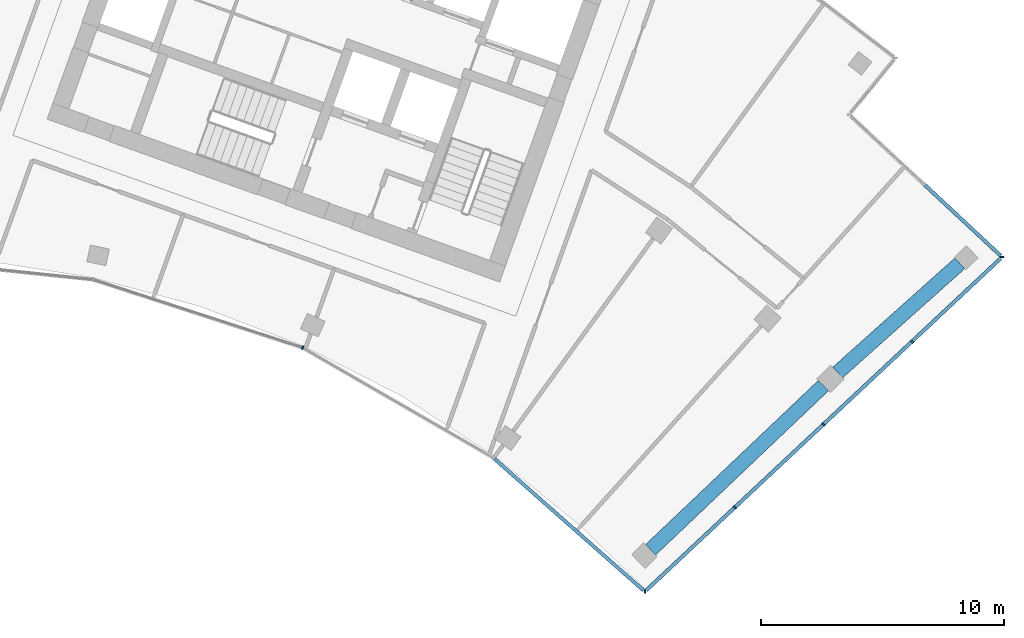
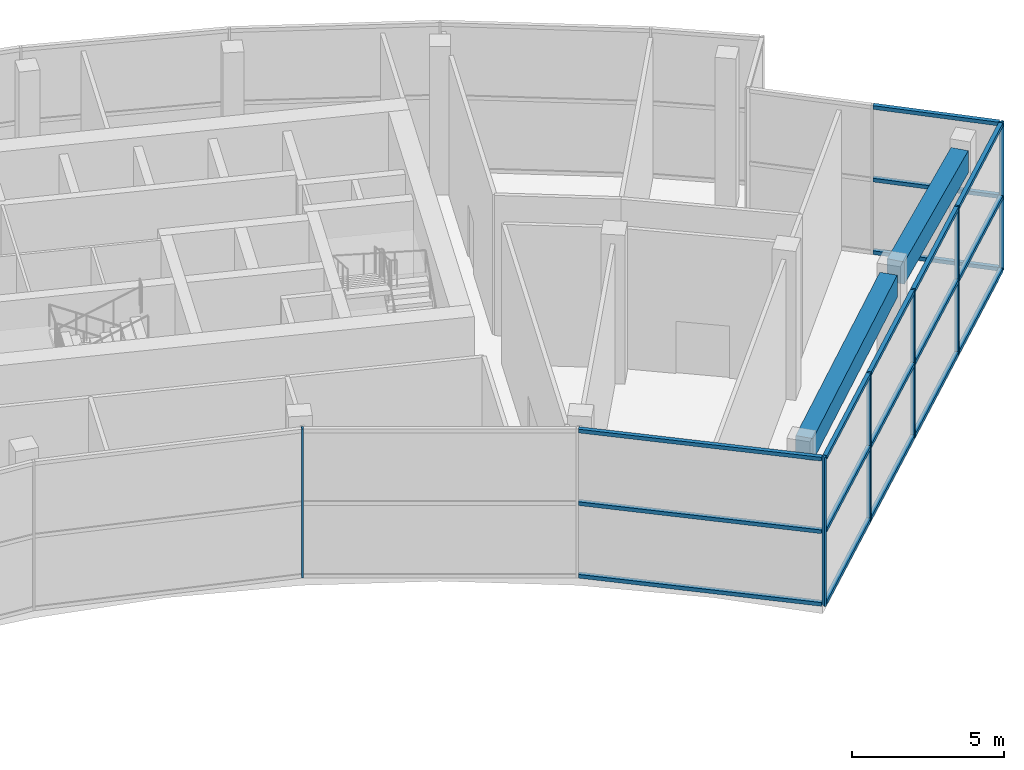
# One storey, part 7 of 18: 24 members, 2 beams, 3 elements without a shape of their own.
"""IFC4 building model written with IfcOpenShell, lengths in metres."""

from ifc_helpers import new_model, si_unit, direction, frame, origin, origin_2d, place, context, subcontext, project, spatial, rectangle, extrude, material, layer, layer_set, material_profile, profile_set, type_object, element, aggregate, save


model = new_model("IFC4")

# Units and contexts
model_context = context("Model", 3, precision=1e-05, world=origin(), true_north=direction((0.0, 1.0)))
body_context = subcontext(model_context, "Body", "Model", "MODEL_VIEW")
ifc_project = project(units=[si_unit("LENGTHUNIT", "METRE"), si_unit("AREAUNIT", "SQUARE_METRE"), si_unit("VOLUMEUNIT", "CUBIC_METRE"), si_unit("PLANEANGLEUNIT", "RADIAN"), si_unit("MASSUNIT", "GRAM", prefix="KILO")], contexts=[model_context])

# Site, building, storey
site_placement = place(None, origin())
site = spatial("IfcSite", under=ifc_project, at=site_placement, CompositionType="ELEMENT")
building_placement = place(site_placement, origin())
building = spatial("IfcBuilding", under=site, at=building_placement, Name="Stone Belt Terrace Tower", CompositionType="ELEMENT")
storey_placement = place(building_placement, frame((0.0, 0.0, 307.39990234375)))
storey = spatial("IfcBuildingStorey", under=building, at=storey_placement, Name="L75", CompositionType="ELEMENT", Elevation=307.39990234375)

# Curtain wall, member
ifc_material_1 = material(Name="Aluminium 6063-T6 anodised frame", Category="aluminium")
ifc_layer = layer(ifc_material_1, 0.14990234375)
ifc_layer_set = layer_set([ifc_layer], Name="CW-F observation floor curtain wall")
curtain_wall_type = type_object("IfcCurtainWallType", Name="CW-F observation floor curtain wall", PredefinedType="NOTDEFINED", material=ifc_layer_set)
curtain_wall_1_placement = place(storey_placement, origin())
curtain_wall_1 = element("IfcCurtainWall", 1, at=curtain_wall_1_placement, inside=storey, type_object=curtain_wall_type, Name="CW-F concave face L75", PredefinedType="NOTDEFINED")
ifc_material_profile_1 = material_profile(ifc_material_1, rectangle(XDim=0.14990234375, YDim=0.070068359375, at=origin_2d()), Name="Aluminium 6063-T6 70x150")
ifc_profile_set_1 = profile_set([ifc_material_profile_1], Name="Aluminium 6063-T6 anodised frame")
member_type_1 = type_object("IfcMemberType", Name="CW-F mullion 70 x 150", PredefinedType="MULLION", material=ifc_profile_set_1)
member_1_placement = place(storey_placement, frame((17.662353515625, 39.67041015625, 0.0), z_axis=(0.0, 0.0, 1.0), x_axis=(0.406736643076, 0.913545457643, 0.0)))
member_1 = element("IfcMember", 2, at=member_1_placement, type_object=member_type_1, Name="CW-F mullion 7", PredefinedType="MULLION", context=body_context, shape_type="SweptSolid", body=[
    extrude(rectangle(XDim=0.14990234375, YDim=0.070068359375, at=origin_2d()), origin(), (0.0, 0.0, 1.0), 6.0),
])

# Curtain wall, members
curtain_wall_2_placement = place(storey_placement, origin())
curtain_wall_2 = element("IfcCurtainWall", 3, at=curtain_wall_2_placement, inside=storey, type_object=curtain_wall_type, Name="CW-F end face L75", PredefinedType="NOTDEFINED")
member_2_placement = place(storey_placement, frame((31.75244140625, 29.633056640625, 0.0), z_axis=(0.0, 0.0, 1.0), x_axis=(-0.014681639593, 0.999892218921, 0.0)))
member_2 = element("IfcMember", 4, at=member_2_placement, type_object=member_type_1, Name="CW-F mullion 1", PredefinedType="MULLION", context=body_context, shape_type="SweptSolid", body=[
    extrude(rectangle(XDim=0.14990234375, YDim=0.070068359375, at=origin_2d()), origin(), (0.0, 0.0, 1.0), 6.0),
])
member_3_placement = place(storey_placement, frame((35.45166015625, 33.097412109375, 0.0), z_axis=(0.0, 0.0, 1.0), x_axis=(-0.683549434973, 0.729904219708, 0.0)))
member_3 = element("IfcMember", 5, at=member_3_placement, type_object=member_type_1, Name="CW-F mullion 2", PredefinedType="MULLION", context=body_context, shape_type="SweptSolid", body=[
    extrude(rectangle(XDim=0.14990234375, YDim=0.070068359375, at=origin_2d()), origin(), (0.0, 0.0, 1.0), 6.0),
])
member_4_placement = place(storey_placement, frame((39.10107421875, 36.51513671875, 0.0), z_axis=(0.0, 0.0, 1.0), x_axis=(-0.683549434973, 0.729904219708, 0.0)))
member_4 = element("IfcMember", 6, at=member_4_placement, type_object=member_type_1, Name="CW-F mullion 3", PredefinedType="MULLION", context=body_context, shape_type="SweptSolid", body=[
    extrude(rectangle(XDim=0.14990234375, YDim=0.070068359375, at=origin_2d()), origin(), (0.0, 0.0, 1.0), 6.0),
])
member_5_placement = place(storey_placement, frame((42.750732421875, 39.932861328125, 0.0), z_axis=(0.0, 0.0, 1.0), x_axis=(-0.683549434973, 0.729904219708, 0.0)))
member_5 = element("IfcMember", 7, at=member_5_placement, type_object=member_type_1, Name="CW-F mullion 4", PredefinedType="MULLION", context=body_context, shape_type="SweptSolid", body=[
    extrude(rectangle(XDim=0.14990234375, YDim=0.070068359375, at=origin_2d()), origin(), (0.0, 0.0, 1.0), 6.0),
])

# Curtain wall, member
curtain_wall_3_placement = place(storey_placement, origin())
curtain_wall_3 = element("IfcCurtainWall", 8, at=curtain_wall_3_placement, inside=storey, type_object=curtain_wall_type, Name="CW-F notch face L75", PredefinedType="NOTDEFINED")
member_6_placement = place(storey_placement, frame((46.458740234375, 43.405517578125, 0.0), z_axis=(0.0, 0.0, 1.0), x_axis=(-0.999999447771, -0.00105093149, 0.0)))
member_6 = element("IfcMember", 9, at=member_6_placement, type_object=member_type_1, Name="CW-F mullion 1", PredefinedType="MULLION", context=body_context, shape_type="SweptSolid", body=[
    extrude(rectangle(XDim=0.14990234375, YDim=0.070068359375, at=origin_2d()), origin(), (0.0, 0.0, 1.0), 6.0),
])

# Member
ifc_material_profile_2 = material_profile(ifc_material_1, rectangle(XDim=0.14990234375, YDim=0.14990234375, at=origin_2d()), Name="Aluminium 6063-T6 150x150")
ifc_profile_set_2 = profile_set([ifc_material_profile_2], Name="Aluminium 6063-T6 anodised frame")
member_type_2 = type_object("IfcMemberType", Name="CW-F transom 150 x 150", PredefinedType="USERDEFINED", material=ifc_profile_set_2)
member_7_placement = place(storey_placement, frame((25.556396484375, 35.10302734375, 0.0751953125), z_axis=(0.749658592151, -0.661824746602, 0.0), x_axis=(0.661824746602, 0.749658592151, 0.0)))
member_7 = element("IfcMember", 10, at=member_7_placement, type_object=member_type_2, Name="CW-F transom 8.1", ObjectType="TRANSOM", PredefinedType="USERDEFINED", context=body_context, shape_type="SweptSolid", body=[
    extrude(rectangle(XDim=0.14990234375, YDim=0.14990234375, at=origin_2d()), origin(), (0.0, 0.0, 1.0), 8.188720703125),
])

member_8_placement = place(storey_placement, frame((25.556396484375, 35.10302734375, 3.0), z_axis=(0.749658592151, -0.661824746602, 0.0), x_axis=(0.661824746602, 0.749658592151, 0.0)))
member_8 = element("IfcMember", 11, at=member_8_placement, type_object=member_type_2, Name="CW-F transom 8.2", ObjectType="TRANSOM", PredefinedType="USERDEFINED", context=body_context, shape_type="SweptSolid", body=[
    extrude(rectangle(XDim=0.14990234375, YDim=0.14990234375, at=origin_2d()), origin(), (0.0, 0.0, 1.0), 8.188720703125),
])

member_9_placement = place(storey_placement, frame((25.556396484375, 35.10302734375, 5.925048828125), z_axis=(0.749658592151, -0.661824746602, 0.0), x_axis=(0.661824746602, 0.749658592151, 0.0)))
member_9 = element("IfcMember", 12, at=member_9_placement, type_object=member_type_2, Name="CW-F transom 8.3", ObjectType="TRANSOM", PredefinedType="USERDEFINED", context=body_context, shape_type="SweptSolid", body=[
    extrude(rectangle(XDim=0.14990234375, YDim=0.14990234375, at=origin_2d()), origin(), (0.0, 0.0, 1.0), 8.188720703125),
])

aggregate(curtain_wall_1, [member_1, member_7, member_8, member_9])

member_10_placement = place(storey_placement, frame((31.80810546875, 29.685302734375, 0.0751953125), z_axis=(0.729901132892, 0.683552731107, 0.0), x_axis=(-0.683552731107, 0.729901132892, 0.0)))
member_10 = element("IfcMember", 13, at=member_10_placement, type_object=member_type_2, Name="CW-F transom 1.1", ObjectType="TRANSOM", PredefinedType="USERDEFINED", context=body_context, shape_type="SweptSolid", body=[
    extrude(rectangle(XDim=0.14990234375, YDim=0.14990234375, at=origin_2d()), origin(), (0.0, 0.0, 1.0), 4.956787109375),
])

member_11_placement = place(storey_placement, frame((31.80810546875, 29.685302734375, 3.0), z_axis=(0.729901132892, 0.683552731107, 0.0), x_axis=(-0.683552731107, 0.729901132892, 0.0)))
member_11 = element("IfcMember", 14, at=member_11_placement, type_object=member_type_2, Name="CW-F transom 1.2", ObjectType="TRANSOM", PredefinedType="USERDEFINED", context=body_context, shape_type="SweptSolid", body=[
    extrude(rectangle(XDim=0.14990234375, YDim=0.14990234375, at=origin_2d()), origin(), (0.0, 0.0, 1.0), 4.956787109375),
])

member_12_placement = place(storey_placement, frame((31.80810546875, 29.685302734375, 5.925048828125), z_axis=(0.729901132892, 0.683552731107, 0.0), x_axis=(-0.683552731107, 0.729901132892, 0.0)))
member_12 = element("IfcMember", 15, at=member_12_placement, type_object=member_type_2, Name="CW-F transom 1.3", ObjectType="TRANSOM", PredefinedType="USERDEFINED", context=body_context, shape_type="SweptSolid", body=[
    extrude(rectangle(XDim=0.14990234375, YDim=0.14990234375, at=origin_2d()), origin(), (0.0, 0.0, 1.0), 4.956787109375),
])

member_13_placement = place(storey_placement, frame((35.47705078125, 33.121337890625, 0.0751953125), z_axis=(0.729926246066, 0.683525914142, 0.0), x_axis=(-0.683525914142, 0.729926246066, 0.0)))
member_13 = element("IfcMember", 16, at=member_13_placement, type_object=member_type_2, Name="CW-F transom 2.1", ObjectType="TRANSOM", PredefinedType="USERDEFINED", context=body_context, shape_type="SweptSolid", body=[
    extrude(rectangle(XDim=0.14990234375, YDim=0.14990234375, at=origin_2d()), origin(), (0.0, 0.0, 1.0), 4.93017578125),
])

member_14_placement = place(storey_placement, frame((35.47705078125, 33.121337890625, 3.0), z_axis=(0.729926246066, 0.683525914142, 0.0), x_axis=(-0.683525914142, 0.729926246066, 0.0)))
member_14 = element("IfcMember", 17, at=member_14_placement, type_object=member_type_2, Name="CW-F transom 2.2", ObjectType="TRANSOM", PredefinedType="USERDEFINED", context=body_context, shape_type="SweptSolid", body=[
    extrude(rectangle(XDim=0.14990234375, YDim=0.14990234375, at=origin_2d()), origin(), (0.0, 0.0, 1.0), 4.93017578125),
])

member_15_placement = place(storey_placement, frame((35.47705078125, 33.121337890625, 5.925048828125), z_axis=(0.729926246066, 0.683525914142, 0.0), x_axis=(-0.683525914142, 0.729926246066, 0.0)))
member_15 = element("IfcMember", 18, at=member_15_placement, type_object=member_type_2, Name="CW-F transom 2.3", ObjectType="TRANSOM", PredefinedType="USERDEFINED", context=body_context, shape_type="SweptSolid", body=[
    extrude(rectangle(XDim=0.14990234375, YDim=0.14990234375, at=origin_2d()), origin(), (0.0, 0.0, 1.0), 4.93017578125),
])

member_16_placement = place(storey_placement, frame((39.126708984375, 36.5390625, 0.0751953125), z_axis=(0.729903108642, 0.683550621384, 0.0), x_axis=(-0.683550621384, 0.729903108642, 0.0)))
member_16 = element("IfcMember", 19, at=member_16_placement, type_object=member_type_2, Name="CW-F transom 3.1", ObjectType="TRANSOM", PredefinedType="USERDEFINED", context=body_context, shape_type="SweptSolid", body=[
    extrude(rectangle(XDim=0.14990234375, YDim=0.14990234375, at=origin_2d()), origin(), (0.0, 0.0, 1.0), 4.929931640625),
])

member_17_placement = place(storey_placement, frame((39.126708984375, 36.5390625, 3.0), z_axis=(0.729903108642, 0.683550621384, 0.0), x_axis=(-0.683550621384, 0.729903108642, 0.0)))
member_17 = element("IfcMember", 20, at=member_17_placement, type_object=member_type_2, Name="CW-F transom 3.2", ObjectType="TRANSOM", PredefinedType="USERDEFINED", context=body_context, shape_type="SweptSolid", body=[
    extrude(rectangle(XDim=0.14990234375, YDim=0.14990234375, at=origin_2d()), origin(), (0.0, 0.0, 1.0), 4.929931640625),
])

member_18_placement = place(storey_placement, frame((39.126708984375, 36.5390625, 5.925048828125), z_axis=(0.729903108642, 0.683550621384, 0.0), x_axis=(-0.683550621384, 0.729903108642, 0.0)))
member_18 = element("IfcMember", 21, at=member_18_placement, type_object=member_type_2, Name="CW-F transom 3.3", ObjectType="TRANSOM", PredefinedType="USERDEFINED", context=body_context, shape_type="SweptSolid", body=[
    extrude(rectangle(XDim=0.14990234375, YDim=0.14990234375, at=origin_2d()), origin(), (0.0, 0.0, 1.0), 4.929931640625),
])

member_19_placement = place(storey_placement, frame((42.776123046875, 39.956787109375, 0.0751953125), z_axis=(0.72990346306, 0.683550242933, 0.0), x_axis=(-0.683550242933, 0.72990346306, 0.0)))
member_19 = element("IfcMember", 22, at=member_19_placement, type_object=member_type_2, Name="CW-F transom 4.1", ObjectType="TRANSOM", PredefinedType="USERDEFINED", context=body_context, shape_type="SweptSolid", body=[
    extrude(rectangle(XDim=0.14990234375, YDim=0.14990234375, at=origin_2d()), origin(), (0.0, 0.0, 1.0), 4.966796875),
])

member_20_placement = place(storey_placement, frame((42.776123046875, 39.956787109375, 3.0), z_axis=(0.72990346306, 0.683550242933, 0.0), x_axis=(-0.683550242933, 0.72990346306, 0.0)))
member_20 = element("IfcMember", 23, at=member_20_placement, type_object=member_type_2, Name="CW-F transom 4.2", ObjectType="TRANSOM", PredefinedType="USERDEFINED", context=body_context, shape_type="SweptSolid", body=[
    extrude(rectangle(XDim=0.14990234375, YDim=0.14990234375, at=origin_2d()), origin(), (0.0, 0.0, 1.0), 4.966796875),
])

member_21_placement = place(storey_placement, frame((42.776123046875, 39.956787109375, 5.925048828125), z_axis=(0.72990346306, 0.683550242933, 0.0), x_axis=(-0.683550242933, 0.72990346306, 0.0)))
member_21 = element("IfcMember", 24, at=member_21_placement, type_object=member_type_2, Name="CW-F transom 4.3", ObjectType="TRANSOM", PredefinedType="USERDEFINED", context=body_context, shape_type="SweptSolid", body=[
    extrude(rectangle(XDim=0.14990234375, YDim=0.14990234375, at=origin_2d()), origin(), (0.0, 0.0, 1.0), 4.966796875),
])

aggregate(curtain_wall_2, [member_2, member_3, member_4, member_5, member_10, member_11, member_12, member_13, member_14, member_15, member_16, member_17, member_18, member_19, member_20, member_21])

member_22_placement = place(storey_placement, frame((46.401123046875, 43.459228515625, 0.0751953125), z_axis=(-0.73134677092, 0.682005792252, 0.0), x_axis=(-0.682005792252, -0.73134677092, 0.0)))
member_22 = element("IfcMember", 25, at=member_22_placement, type_object=member_type_2, Name="CW-F transom 1.1", ObjectType="TRANSOM", PredefinedType="USERDEFINED", context=body_context, shape_type="SweptSolid", body=[
    extrude(rectangle(XDim=0.14990234375, YDim=0.14990234375, at=origin_2d()), origin(), (0.0, 0.0, 1.0), 4.26025390625),
])

member_23_placement = place(storey_placement, frame((46.401123046875, 43.459228515625, 3.0), z_axis=(-0.73134677092, 0.682005792252, 0.0), x_axis=(-0.682005792252, -0.73134677092, 0.0)))
member_23 = element("IfcMember", 26, at=member_23_placement, type_object=member_type_2, Name="CW-F transom 1.2", ObjectType="TRANSOM", PredefinedType="USERDEFINED", context=body_context, shape_type="SweptSolid", body=[
    extrude(rectangle(XDim=0.14990234375, YDim=0.14990234375, at=origin_2d()), origin(), (0.0, 0.0, 1.0), 4.26025390625),
])

member_24_placement = place(storey_placement, frame((46.401123046875, 43.459228515625, 5.925048828125), z_axis=(-0.73134677092, 0.682005792252, 0.0), x_axis=(-0.682005792252, -0.73134677092, 0.0)))
member_24 = element("IfcMember", 27, at=member_24_placement, type_object=member_type_2, Name="CW-F transom 1.3", ObjectType="TRANSOM", PredefinedType="USERDEFINED", context=body_context, shape_type="SweptSolid", body=[
    extrude(rectangle(XDim=0.14990234375, YDim=0.14990234375, at=origin_2d()), origin(), (0.0, 0.0, 1.0), 4.26025390625),
])

aggregate(curtain_wall_3, [member_6, member_22, member_23, member_24])

# Beams
ifc_material_2 = material(Name="Concrete B60", Category="concrete")
ifc_material_profile_3 = material_profile(ifc_material_2, rectangle(XDim=0.60009765625, YDim=0.89990234375, at=origin_2d()), Name="RC 600x900")
ifc_profile_set_3 = profile_set([ifc_material_profile_3], Name="Concrete B60")
beam_type = type_object("IfcBeamType", Name="Edge beam RC 600x900 B60", PredefinedType="SPANDREL", material=ifc_profile_set_3)
beam_1_placement = place(storey_placement, frame((31.98876953125, 31.35791015625, 5.2001953125), z_axis=(0.72502367576, 0.688723942946, 0.0), x_axis=(-0.688723942946, 0.72502367576, 0.0)))
element("IfcBeam", 28, at=beam_1_placement, inside=storey, type_object=beam_type, Name="Edge beam L75 B P to Q", PredefinedType="SPANDREL", context=body_context, shape_type="SweptSolid", body=[
    extrude(rectangle(XDim=0.60009765625, YDim=0.89990234375, at=origin_2d()), origin(), (0.0, 0.0, 1.0), 9.80615234375),
])
beam_2_placement = place(storey_placement, frame((39.68701171875, 38.65380859375, 5.2001953125), z_axis=(0.745651125692, 0.666336550666, 0.0), x_axis=(-0.666336550666, 0.745651125692, 0.0)))
element("IfcBeam", 29, at=beam_2_placement, inside=storey, type_object=beam_type, Name="Edge beam L75 B Q to R", PredefinedType="SPANDREL", context=body_context, shape_type="SweptSolid", body=[
    extrude(rectangle(XDim=0.60009765625, YDim=0.89990234375, at=origin_2d()), origin(), (0.0, 0.0, 1.0), 6.744140625),
])

save(model, "model.ifc")
